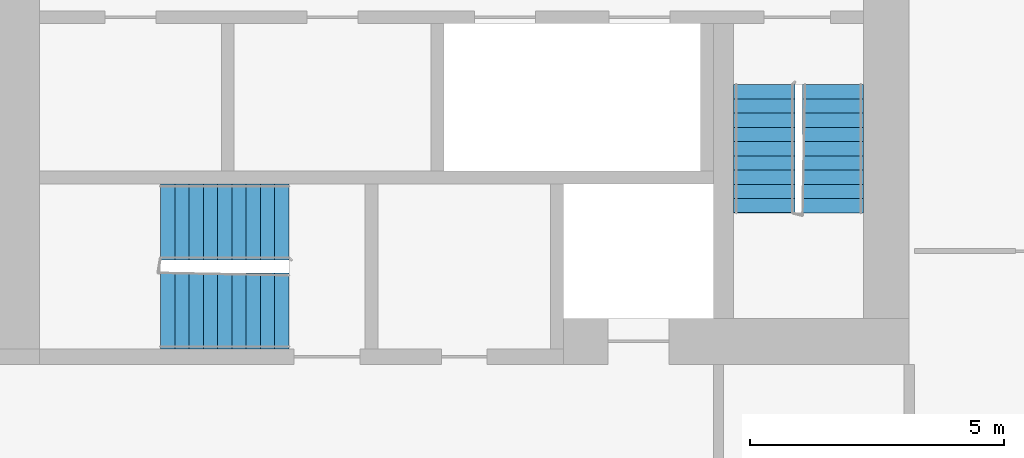
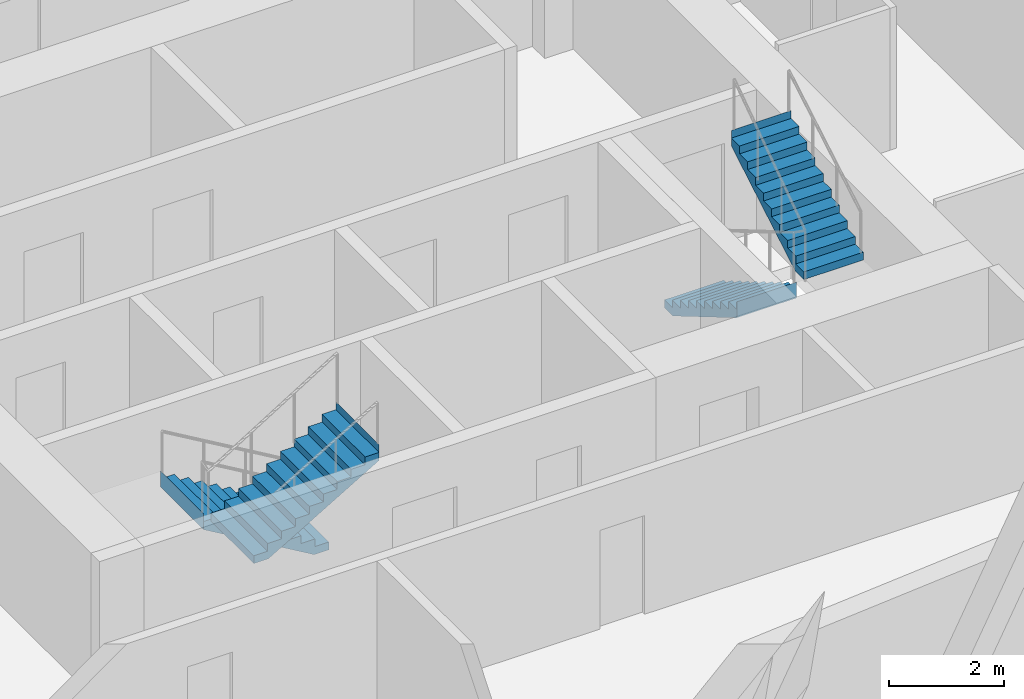
# One storey, part 9 of 13: 4 stair flights, 2 elements without a shape of their own.
"""IFC4 building model written with IfcOpenShell, lengths in metres."""

from ifc_helpers import new_model, si_unit, direction, frame, origin, place, context, subcontext, project, spatial, faceted_brep, material, type_object, element, aggregate, save


model = new_model("IFC4")

# Units and contexts
model_context = context("Model", 3, precision=1e-05, world=origin(), true_north=direction((0.0, 1.0)))
body_context = subcontext(model_context, "Body", "Model", "MODEL_VIEW")
ifc_project = project(units=[si_unit("LENGTHUNIT", "METRE"), si_unit("AREAUNIT", "SQUARE_METRE"), si_unit("VOLUMEUNIT", "CUBIC_METRE"), si_unit("PLANEANGLEUNIT", "RADIAN"), si_unit("MASSUNIT", "GRAM", prefix="KILO")], contexts=[model_context])

# Site, building, storey
site_placement = place(None, origin())
site = spatial("IfcSite", under=ifc_project, at=site_placement, CompositionType="ELEMENT")
building_placement = place(site_placement, origin())
building = spatial("IfcBuilding", under=site, at=building_placement, Name="Kajstack Hotel Tower", CompositionType="ELEMENT")
storey_placement = place(building_placement, frame((0.0, 0.0, 176.800048828125)))
storey = spatial("IfcBuildingStorey", under=building, at=storey_placement, Name="L41", CompositionType="ELEMENT", Elevation=176.800048828125)

# Stair, stair flights
ifc_material = material(Name="Concrete C40/50", Category="concrete")
stair_type_1 = type_object("IfcStairType", Name="Exit stair 1200", PredefinedType="HALF_TURN_STAIR", material=ifc_material)
stair_1_placement = place(storey_placement, origin())
stair_1 = element("IfcStair", 1, at=stair_1_placement, inside=storey, type_object=stair_type_1, Name="L41 stair W2", PredefinedType="HALF_TURN_STAIR")
stair_flight_type_1 = type_object("IfcStairFlightType", Name="Exit stair flight 1200", PredefinedType="STRAIGHT", material=ifc_material)
stair_flight_1_placement = place(storey_placement, frame((-16.35009765625, -10.0, 0.0), z_axis=(0.0, 0.0, 1.0), x_axis=(0.0, -1.0, 0.0)))
stair_flight_1 = element("IfcStairFlight", 2, at=stair_flight_1_placement, type_object=stair_flight_type_1, Name="W2 flight 1", NumberOfRisers=10, NumberOfTreads=9, PredefinedType="STRAIGHT", RiserHeight=0.165, TreadLength=0.28, context=body_context, shape_type="Brep", body=[
    faceted_brep([(0.295654296875, -0.60009765625, 0.0), (2.5205078125, -0.60009765625, 1.31103515625), (2.5205078125, -0.60009765625, 1.64990234375), (2.52001953125, -0.60009765625, 1.64990234375), (2.52001953125, -0.60009765625, 1.485107421875), (2.239990234375, -0.60009765625, 1.485107421875), (2.239990234375, -0.60009765625, 1.320068359375), (1.9599609375, -0.60009765625, 1.320068359375), (1.9599609375, -0.60009765625, 1.155029296875), (1.679931640625, -0.60009765625, 1.155029296875), (1.679931640625, -0.60009765625, 0.989990234375), (1.39990234375, -0.60009765625, 0.989990234375), (1.39990234375, -0.60009765625, 0.824951171875), (1.1201171875, -0.60009765625, 0.824951171875), (1.1201171875, -0.60009765625, 0.659912109375), (0.840087890625, -0.60009765625, 0.659912109375), (0.840087890625, -0.60009765625, 0.4951171875), (0.56005859375, -0.60009765625, 0.4951171875), (0.56005859375, -0.60009765625, 0.330078125), (0.280029296875, -0.60009765625, 0.330078125), (0.280029296875, -0.60009765625, 0.1650390625), (-0.00048828125, -0.60009765625, 0.1650390625), (-0.00048828125, -0.60009765625, 0.0), (-0.00048828125, 0.60009765625, 0.0), (-0.00048828125, 0.60009765625, 0.1650390625), (0.280029296875, 0.60009765625, 0.1650390625), (0.280029296875, 0.60009765625, 0.330078125), (0.56005859375, 0.60009765625, 0.330078125), (0.56005859375, 0.60009765625, 0.4951171875), (0.840087890625, 0.60009765625, 0.4951171875), (0.840087890625, 0.60009765625, 0.659912109375), (1.1201171875, 0.60009765625, 0.659912109375), (1.1201171875, 0.60009765625, 0.824951171875), (1.39990234375, 0.60009765625, 0.824951171875), (1.39990234375, 0.60009765625, 0.989990234375), (1.679931640625, 0.60009765625, 0.989990234375), (1.679931640625, 0.60009765625, 1.155029296875), (1.9599609375, 0.60009765625, 1.155029296875), (1.9599609375, 0.60009765625, 1.320068359375), (2.239990234375, 0.60009765625, 1.320068359375), (2.239990234375, 0.60009765625, 1.485107421875), (2.52001953125, 0.60009765625, 1.485107421875), (2.52001953125, 0.60009765625, 1.64990234375), (2.5205078125, 0.60009765625, 1.64990234375), (2.5205078125, 0.60009765625, 1.31103515625), (0.295654296875, 0.60009765625, 0.0), (-0.00048828125, -0.300048828125, 0.1650390625), (-0.00048828125, 0.0, 0.1650390625), (-0.00048828125, 0.300048828125, 0.1650390625), (-0.00048828125, 0.300048828125, 0.0), (-0.00048828125, 0.0, 0.0), (-0.00048828125, -0.300048828125, 0.0), (0.280029296875, -0.300048828125, 0.1650390625), (0.280029296875, 0.0, 0.1650390625), (0.280029296875, 0.300048828125, 0.1650390625), (0.280029296875, -0.300048828125, 0.330078125), (0.280029296875, 0.0, 0.330078125), (0.280029296875, 0.300048828125, 0.330078125), (0.56005859375, -0.300048828125, 0.330078125), (0.56005859375, 0.0, 0.330078125), (0.56005859375, 0.300048828125, 0.330078125), (0.56005859375, -0.300048828125, 0.4951171875), (0.56005859375, 0.0, 0.4951171875), (0.56005859375, 0.300048828125, 0.4951171875), (0.840087890625, -0.300048828125, 0.4951171875), (0.840087890625, 0.0, 0.4951171875), (0.840087890625, 0.300048828125, 0.4951171875), (0.840087890625, -0.300048828125, 0.659912109375), (0.840087890625, 0.0, 0.659912109375), (0.840087890625, 0.300048828125, 0.659912109375), (1.1201171875, -0.300048828125, 0.659912109375), (1.1201171875, 0.0, 0.659912109375), (1.1201171875, 0.300048828125, 0.659912109375), (1.1201171875, -0.300048828125, 0.824951171875), (1.1201171875, 0.0, 0.824951171875), (1.1201171875, 0.300048828125, 0.824951171875), (1.39990234375, -0.300048828125, 0.824951171875), (1.39990234375, 0.0, 0.824951171875), (1.39990234375, 0.300048828125, 0.824951171875), (1.39990234375, -0.300048828125, 0.989990234375), (1.39990234375, 0.0, 0.989990234375), (1.39990234375, 0.300048828125, 0.989990234375), (1.679931640625, -0.300048828125, 0.989990234375), (1.679931640625, 0.0, 0.989990234375), (1.679931640625, 0.300048828125, 0.989990234375), (1.679931640625, -0.300048828125, 1.155029296875), (1.679931640625, 0.0, 1.155029296875), (1.679931640625, 0.300048828125, 1.155029296875), (1.9599609375, -0.300048828125, 1.155029296875), (1.9599609375, 0.0, 1.155029296875), (1.9599609375, 0.300048828125, 1.155029296875), (1.9599609375, -0.300048828125, 1.320068359375), (1.9599609375, 0.0, 1.320068359375), (1.9599609375, 0.300048828125, 1.320068359375), (2.239990234375, -0.300048828125, 1.320068359375), (2.239990234375, 0.0, 1.320068359375), (2.239990234375, 0.300048828125, 1.320068359375), (2.239990234375, -0.300048828125, 1.485107421875), (2.239990234375, 0.0, 1.485107421875), (2.239990234375, 0.300048828125, 1.485107421875), (2.52001953125, -0.300048828125, 1.485107421875), (2.52001953125, 0.0, 1.485107421875), (2.52001953125, 0.300048828125, 1.485107421875), (2.52001953125, -0.300048828125, 1.64990234375), (2.52001953125, 0.0, 1.64990234375), (2.52001953125, 0.300048828125, 1.64990234375), (2.5205078125, -0.300048828125, 1.64990234375), (2.5205078125, 0.0, 1.64990234375), (2.5205078125, 0.300048828125, 1.64990234375), (2.5205078125, -0.300048828125, 1.31103515625), (2.5205078125, 0.0, 1.31103515625), (2.5205078125, 0.300048828125, 1.31103515625), (0.295654296875, -0.300048828125, 0.0), (0.295654296875, 0.0, 0.0), (0.295654296875, 0.300048828125, 0.0)], [[[0, 1, 2, 3, 4, 5, 6, 7, 8, 9, 10, 11, 12, 13, 14, 15, 16, 17, 18, 19, 20, 21, 22]], [[23, 24, 25, 26, 27, 28, 29, 30, 31, 32, 33, 34, 35, 36, 37, 38, 39, 40, 41, 42, 43, 44, 45]], [[21, 46, 47, 48, 24, 23, 49, 50, 51, 22]], [[20, 52, 53, 54, 25, 24, 48, 47, 46, 21]], [[19, 55, 56, 57, 26, 25, 54, 53, 52, 20]], [[18, 58, 59, 60, 27, 26, 57, 56, 55, 19]], [[17, 61, 62, 63, 28, 27, 60, 59, 58, 18]], [[16, 64, 65, 66, 29, 28, 63, 62, 61, 17]], [[15, 67, 68, 69, 30, 29, 66, 65, 64, 16]], [[14, 70, 71, 72, 31, 30, 69, 68, 67, 15]], [[13, 73, 74, 75, 32, 31, 72, 71, 70, 14]], [[12, 76, 77, 78, 33, 32, 75, 74, 73, 13]], [[11, 79, 80, 81, 34, 33, 78, 77, 76, 12]], [[10, 82, 83, 84, 35, 34, 81, 80, 79, 11]], [[9, 85, 86, 87, 36, 35, 84, 83, 82, 10]], [[8, 88, 89, 90, 37, 36, 87, 86, 85, 9]], [[7, 91, 92, 93, 38, 37, 90, 89, 88, 8]], [[6, 94, 95, 96, 39, 38, 93, 92, 91, 7]], [[5, 97, 98, 99, 40, 39, 96, 95, 94, 6]], [[4, 100, 101, 102, 41, 40, 99, 98, 97, 5]], [[3, 103, 104, 105, 42, 41, 102, 101, 100, 4]], [[2, 106, 107, 108, 43, 42, 105, 104, 103, 3]], [[1, 109, 110, 111, 44, 43, 108, 107, 106, 2]], [[0, 112, 113, 114, 45, 44, 111, 110, 109, 1]], [[22, 51, 50, 49, 23, 45, 114, 113, 112, 0]]]),
])
stair_flight_2_placement = place(storey_placement, frame((-15.0, -12.52001953125, 1.64990234375), z_axis=(0.0, 0.0, 1.0), x_axis=(0.0, 1.0, 0.0)))
stair_flight_2 = element("IfcStairFlight", 3, at=stair_flight_2_placement, type_object=stair_flight_type_1, Name="W2 flight 2", NumberOfRisers=10, NumberOfTreads=9, PredefinedType="STRAIGHT", RiserHeight=0.165, TreadLength=0.28, context=body_context, shape_type="Brep", body=[
    faceted_brep([(0.295654296875, -0.60009765625, 0.0), (2.5205078125, -0.60009765625, 1.31103515625), (2.5205078125, -0.60009765625, 1.64990234375), (2.52001953125, -0.60009765625, 1.64990234375), (2.52001953125, -0.60009765625, 1.485107421875), (2.239990234375, -0.60009765625, 1.485107421875), (2.239990234375, -0.60009765625, 1.320068359375), (1.9599609375, -0.60009765625, 1.320068359375), (1.9599609375, -0.60009765625, 1.155029296875), (1.679931640625, -0.60009765625, 1.155029296875), (1.679931640625, -0.60009765625, 0.989990234375), (1.39990234375, -0.60009765625, 0.989990234375), (1.39990234375, -0.60009765625, 0.824951171875), (1.1201171875, -0.60009765625, 0.824951171875), (1.1201171875, -0.60009765625, 0.659912109375), (0.840087890625, -0.60009765625, 0.659912109375), (0.840087890625, -0.60009765625, 0.4951171875), (0.56005859375, -0.60009765625, 0.4951171875), (0.56005859375, -0.60009765625, 0.330078125), (0.280029296875, -0.60009765625, 0.330078125), (0.280029296875, -0.60009765625, 0.1650390625), (-0.00048828125, -0.60009765625, 0.1650390625), (-0.00048828125, -0.60009765625, 0.0), (-0.00048828125, 0.60009765625, 0.0), (-0.00048828125, 0.60009765625, 0.1650390625), (0.280029296875, 0.60009765625, 0.1650390625), (0.280029296875, 0.60009765625, 0.330078125), (0.56005859375, 0.60009765625, 0.330078125), (0.56005859375, 0.60009765625, 0.4951171875), (0.840087890625, 0.60009765625, 0.4951171875), (0.840087890625, 0.60009765625, 0.659912109375), (1.1201171875, 0.60009765625, 0.659912109375), (1.1201171875, 0.60009765625, 0.824951171875), (1.39990234375, 0.60009765625, 0.824951171875), (1.39990234375, 0.60009765625, 0.989990234375), (1.679931640625, 0.60009765625, 0.989990234375), (1.679931640625, 0.60009765625, 1.155029296875), (1.9599609375, 0.60009765625, 1.155029296875), (1.9599609375, 0.60009765625, 1.320068359375), (2.239990234375, 0.60009765625, 1.320068359375), (2.239990234375, 0.60009765625, 1.485107421875), (2.52001953125, 0.60009765625, 1.485107421875), (2.52001953125, 0.60009765625, 1.64990234375), (2.5205078125, 0.60009765625, 1.64990234375), (2.5205078125, 0.60009765625, 1.31103515625), (0.295654296875, 0.60009765625, 0.0), (-0.00048828125, -0.300048828125, 0.1650390625), (-0.00048828125, 0.0, 0.1650390625), (-0.00048828125, 0.300048828125, 0.1650390625), (-0.00048828125, 0.300048828125, 0.0), (-0.00048828125, 0.0, 0.0), (-0.00048828125, -0.300048828125, 0.0), (0.280029296875, -0.300048828125, 0.1650390625), (0.280029296875, 0.0, 0.1650390625), (0.280029296875, 0.300048828125, 0.1650390625), (0.280029296875, -0.300048828125, 0.330078125), (0.280029296875, 0.0, 0.330078125), (0.280029296875, 0.300048828125, 0.330078125), (0.56005859375, -0.300048828125, 0.330078125), (0.56005859375, 0.0, 0.330078125), (0.56005859375, 0.300048828125, 0.330078125), (0.56005859375, -0.300048828125, 0.4951171875), (0.56005859375, 0.0, 0.4951171875), (0.56005859375, 0.300048828125, 0.4951171875), (0.840087890625, -0.300048828125, 0.4951171875), (0.840087890625, 0.0, 0.4951171875), (0.840087890625, 0.300048828125, 0.4951171875), (0.840087890625, -0.300048828125, 0.659912109375), (0.840087890625, 0.0, 0.659912109375), (0.840087890625, 0.300048828125, 0.659912109375), (1.1201171875, -0.300048828125, 0.659912109375), (1.1201171875, 0.0, 0.659912109375), (1.1201171875, 0.300048828125, 0.659912109375), (1.1201171875, -0.300048828125, 0.824951171875), (1.1201171875, 0.0, 0.824951171875), (1.1201171875, 0.300048828125, 0.824951171875), (1.39990234375, -0.300048828125, 0.824951171875), (1.39990234375, 0.0, 0.824951171875), (1.39990234375, 0.300048828125, 0.824951171875), (1.39990234375, -0.300048828125, 0.989990234375), (1.39990234375, 0.0, 0.989990234375), (1.39990234375, 0.300048828125, 0.989990234375), (1.679931640625, -0.300048828125, 0.989990234375), (1.679931640625, 0.0, 0.989990234375), (1.679931640625, 0.300048828125, 0.989990234375), (1.679931640625, -0.300048828125, 1.155029296875), (1.679931640625, 0.0, 1.155029296875), (1.679931640625, 0.300048828125, 1.155029296875), (1.9599609375, -0.300048828125, 1.155029296875), (1.9599609375, 0.0, 1.155029296875), (1.9599609375, 0.300048828125, 1.155029296875), (1.9599609375, -0.300048828125, 1.320068359375), (1.9599609375, 0.0, 1.320068359375), (1.9599609375, 0.300048828125, 1.320068359375), (2.239990234375, -0.300048828125, 1.320068359375), (2.239990234375, 0.0, 1.320068359375), (2.239990234375, 0.300048828125, 1.320068359375), (2.239990234375, -0.300048828125, 1.485107421875), (2.239990234375, 0.0, 1.485107421875), (2.239990234375, 0.300048828125, 1.485107421875), (2.52001953125, -0.300048828125, 1.485107421875), (2.52001953125, 0.0, 1.485107421875), (2.52001953125, 0.300048828125, 1.485107421875), (2.52001953125, -0.300048828125, 1.64990234375), (2.52001953125, 0.0, 1.64990234375), (2.52001953125, 0.300048828125, 1.64990234375), (2.5205078125, -0.300048828125, 1.64990234375), (2.5205078125, 0.0, 1.64990234375), (2.5205078125, 0.300048828125, 1.64990234375), (2.5205078125, -0.300048828125, 1.31103515625), (2.5205078125, 0.0, 1.31103515625), (2.5205078125, 0.300048828125, 1.31103515625), (0.295654296875, -0.300048828125, 0.0), (0.295654296875, 0.0, 0.0), (0.295654296875, 0.300048828125, 0.0)], [[[0, 1, 2, 3, 4, 5, 6, 7, 8, 9, 10, 11, 12, 13, 14, 15, 16, 17, 18, 19, 20, 21, 22]], [[23, 24, 25, 26, 27, 28, 29, 30, 31, 32, 33, 34, 35, 36, 37, 38, 39, 40, 41, 42, 43, 44, 45]], [[21, 46, 47, 48, 24, 23, 49, 50, 51, 22]], [[20, 52, 53, 54, 25, 24, 48, 47, 46, 21]], [[19, 55, 56, 57, 26, 25, 54, 53, 52, 20]], [[18, 58, 59, 60, 27, 26, 57, 56, 55, 19]], [[17, 61, 62, 63, 28, 27, 60, 59, 58, 18]], [[16, 64, 65, 66, 29, 28, 63, 62, 61, 17]], [[15, 67, 68, 69, 30, 29, 66, 65, 64, 16]], [[14, 70, 71, 72, 31, 30, 69, 68, 67, 15]], [[13, 73, 74, 75, 32, 31, 72, 71, 70, 14]], [[12, 76, 77, 78, 33, 32, 75, 74, 73, 13]], [[11, 79, 80, 81, 34, 33, 78, 77, 76, 12]], [[10, 82, 83, 84, 35, 34, 81, 80, 79, 11]], [[9, 85, 86, 87, 36, 35, 84, 83, 82, 10]], [[8, 88, 89, 90, 37, 36, 87, 86, 85, 9]], [[7, 91, 92, 93, 38, 37, 90, 89, 88, 8]], [[6, 94, 95, 96, 39, 38, 93, 92, 91, 7]], [[5, 97, 98, 99, 40, 39, 96, 95, 94, 6]], [[4, 100, 101, 102, 41, 40, 99, 98, 97, 5]], [[3, 103, 104, 105, 42, 41, 102, 101, 100, 4]], [[2, 106, 107, 108, 43, 42, 105, 104, 103, 3]], [[1, 109, 110, 111, 44, 43, 108, 107, 106, 2]], [[0, 112, 113, 114, 45, 44, 111, 110, 109, 1]], [[22, 51, 50, 49, 23, 45, 114, 113, 112, 0]]]),
])
aggregate(stair_1, [stair_flight_1, stair_flight_2])

stair_type_2 = type_object("IfcStairType", Name="Exit stair 1500", PredefinedType="HALF_TURN_STAIR", material=ifc_material)
stair_2_placement = place(storey_placement, origin())
stair_2 = element("IfcStair", 4, at=stair_2_placement, inside=storey, type_object=stair_type_2, Name="L41 stair W3", PredefinedType="HALF_TURN_STAIR")
stair_flight_type_2 = type_object("IfcStairFlightType", Name="Exit stair flight 1500", PredefinedType="STRAIGHT", material=ifc_material)
stair_flight_3_placement = place(storey_placement, frame((-25.699951171875, -12.699951171875, 0.0), z_axis=(0.0, 0.0, 1.0), x_axis=(-1.0, 0.0, 0.0)))
stair_flight_3 = element("IfcStairFlight", 5, at=stair_flight_3_placement, type_object=stair_flight_type_2, Name="W3 flight 1", NumberOfRisers=10, NumberOfTreads=9, PredefinedType="STRAIGHT", RiserHeight=0.165, TreadLength=0.28, context=body_context, shape_type="Brep", body=[
    faceted_brep([(0.295654296875, -0.75, 0.0), (2.5205078125, -0.75, 1.31103515625), (2.5205078125, -0.75, 1.64990234375), (2.52001953125, -0.75, 1.64990234375), (2.52001953125, -0.75, 1.485107421875), (2.239990234375, -0.75, 1.485107421875), (2.239990234375, -0.75, 1.320068359375), (1.9599609375, -0.75, 1.320068359375), (1.9599609375, -0.75, 1.155029296875), (1.679931640625, -0.75, 1.155029296875), (1.679931640625, -0.75, 0.989990234375), (1.39990234375, -0.75, 0.989990234375), (1.39990234375, -0.75, 0.824951171875), (1.1201171875, -0.75, 0.824951171875), (1.1201171875, -0.75, 0.659912109375), (0.840087890625, -0.75, 0.659912109375), (0.840087890625, -0.75, 0.4951171875), (0.56005859375, -0.75, 0.4951171875), (0.56005859375, -0.75, 0.330078125), (0.280029296875, -0.75, 0.330078125), (0.280029296875, -0.75, 0.1650390625), (-0.00048828125, -0.75, 0.1650390625), (-0.00048828125, -0.75, 0.0), (-0.00048828125, 0.75, 0.0), (-0.00048828125, 0.75, 0.1650390625), (0.280029296875, 0.75, 0.1650390625), (0.280029296875, 0.75, 0.330078125), (0.56005859375, 0.75, 0.330078125), (0.56005859375, 0.75, 0.4951171875), (0.840087890625, 0.75, 0.4951171875), (0.840087890625, 0.75, 0.659912109375), (1.1201171875, 0.75, 0.659912109375), (1.1201171875, 0.75, 0.824951171875), (1.39990234375, 0.75, 0.824951171875), (1.39990234375, 0.75, 0.989990234375), (1.679931640625, 0.75, 0.989990234375), (1.679931640625, 0.75, 1.155029296875), (1.9599609375, 0.75, 1.155029296875), (1.9599609375, 0.75, 1.320068359375), (2.239990234375, 0.75, 1.320068359375), (2.239990234375, 0.75, 1.485107421875), (2.52001953125, 0.75, 1.485107421875), (2.52001953125, 0.75, 1.64990234375), (2.5205078125, 0.75, 1.64990234375), (2.5205078125, 0.75, 1.31103515625), (0.295654296875, 0.75, 0.0), (-0.00048828125, -0.375, 0.1650390625), (-0.00048828125, 0.0, 0.1650390625), (-0.00048828125, 0.375, 0.1650390625), (-0.00048828125, 0.375, 0.0), (-0.00048828125, 0.0, 0.0), (-0.00048828125, -0.375, 0.0), (0.280029296875, -0.375, 0.1650390625), (0.280029296875, 0.0, 0.1650390625), (0.280029296875, 0.375, 0.1650390625), (0.280029296875, -0.375, 0.330078125), (0.280029296875, 0.0, 0.330078125), (0.280029296875, 0.375, 0.330078125), (0.56005859375, -0.375, 0.330078125), (0.56005859375, 0.0, 0.330078125), (0.56005859375, 0.375, 0.330078125), (0.56005859375, -0.375, 0.4951171875), (0.56005859375, 0.0, 0.4951171875), (0.56005859375, 0.375, 0.4951171875), (0.840087890625, -0.375, 0.4951171875), (0.840087890625, 0.0, 0.4951171875), (0.840087890625, 0.375, 0.4951171875), (0.840087890625, -0.375, 0.659912109375), (0.840087890625, 0.0, 0.659912109375), (0.840087890625, 0.375, 0.659912109375), (1.1201171875, -0.375, 0.659912109375), (1.1201171875, 0.0, 0.659912109375), (1.1201171875, 0.375, 0.659912109375), (1.1201171875, -0.375, 0.824951171875), (1.1201171875, 0.0, 0.824951171875), (1.1201171875, 0.375, 0.824951171875), (1.39990234375, -0.375, 0.824951171875), (1.39990234375, 0.0, 0.824951171875), (1.39990234375, 0.375, 0.824951171875), (1.39990234375, -0.375, 0.989990234375), (1.39990234375, 0.0, 0.989990234375), (1.39990234375, 0.375, 0.989990234375), (1.679931640625, -0.375, 0.989990234375), (1.679931640625, 0.0, 0.989990234375), (1.679931640625, 0.375, 0.989990234375), (1.679931640625, -0.375, 1.155029296875), (1.679931640625, 0.0, 1.155029296875), (1.679931640625, 0.375, 1.155029296875), (1.9599609375, -0.375, 1.155029296875), (1.9599609375, 0.0, 1.155029296875), (1.9599609375, 0.375, 1.155029296875), (1.9599609375, -0.375, 1.320068359375), (1.9599609375, 0.0, 1.320068359375), (1.9599609375, 0.375, 1.320068359375), (2.239990234375, -0.375, 1.320068359375), (2.239990234375, 0.0, 1.320068359375), (2.239990234375, 0.375, 1.320068359375), (2.239990234375, -0.375, 1.485107421875), (2.239990234375, 0.0, 1.485107421875), (2.239990234375, 0.375, 1.485107421875), (2.52001953125, -0.375, 1.485107421875), (2.52001953125, 0.0, 1.485107421875), (2.52001953125, 0.375, 1.485107421875), (2.52001953125, -0.375, 1.64990234375), (2.52001953125, 0.0, 1.64990234375), (2.52001953125, 0.375, 1.64990234375), (2.5205078125, -0.375, 1.64990234375), (2.5205078125, 0.0, 1.64990234375), (2.5205078125, 0.375, 1.64990234375), (2.5205078125, -0.375, 1.31103515625), (2.5205078125, 0.0, 1.31103515625), (2.5205078125, 0.375, 1.31103515625), (0.295654296875, -0.375, 0.0), (0.295654296875, 0.0, 0.0), (0.295654296875, 0.375, 0.0)], [[[0, 1, 2, 3, 4, 5, 6, 7, 8, 9, 10, 11, 12, 13, 14, 15, 16, 17, 18, 19, 20, 21, 22]], [[23, 24, 25, 26, 27, 28, 29, 30, 31, 32, 33, 34, 35, 36, 37, 38, 39, 40, 41, 42, 43, 44, 45]], [[21, 46, 47, 48, 24, 23, 49, 50, 51, 22]], [[20, 52, 53, 54, 25, 24, 48, 47, 46, 21]], [[19, 55, 56, 57, 26, 25, 54, 53, 52, 20]], [[18, 58, 59, 60, 27, 26, 57, 56, 55, 19]], [[17, 61, 62, 63, 28, 27, 60, 59, 58, 18]], [[16, 64, 65, 66, 29, 28, 63, 62, 61, 17]], [[15, 67, 68, 69, 30, 29, 66, 65, 64, 16]], [[14, 70, 71, 72, 31, 30, 69, 68, 67, 15]], [[13, 73, 74, 75, 32, 31, 72, 71, 70, 14]], [[12, 76, 77, 78, 33, 32, 75, 74, 73, 13]], [[11, 79, 80, 81, 34, 33, 78, 77, 76, 12]], [[10, 82, 83, 84, 35, 34, 81, 80, 79, 11]], [[9, 85, 86, 87, 36, 35, 84, 83, 82, 10]], [[8, 88, 89, 90, 37, 36, 87, 86, 85, 9]], [[7, 91, 92, 93, 38, 37, 90, 89, 88, 8]], [[6, 94, 95, 96, 39, 38, 93, 92, 91, 7]], [[5, 97, 98, 99, 40, 39, 96, 95, 94, 6]], [[4, 100, 101, 102, 41, 40, 99, 98, 97, 5]], [[3, 103, 104, 105, 42, 41, 102, 101, 100, 4]], [[2, 106, 107, 108, 43, 42, 105, 104, 103, 3]], [[1, 109, 110, 111, 44, 43, 108, 107, 106, 2]], [[0, 112, 113, 114, 45, 44, 111, 110, 109, 1]], [[22, 51, 50, 49, 23, 45, 114, 113, 112, 0]]]),
])
stair_flight_4_placement = place(storey_placement, frame((-28.219970703125, -14.449951171875, 1.64990234375), z_axis=(0.0, 0.0, 1.0), x_axis=(1.0, 0.0, 0.0)))
stair_flight_4 = element("IfcStairFlight", 6, at=stair_flight_4_placement, type_object=stair_flight_type_2, Name="W3 flight 2", NumberOfRisers=10, NumberOfTreads=9, PredefinedType="STRAIGHT", RiserHeight=0.165, TreadLength=0.28, context=body_context, shape_type="Brep", body=[
    faceted_brep([(0.295654296875, -0.75, 0.0), (2.5205078125, -0.75, 1.31103515625), (2.5205078125, -0.75, 1.64990234375), (2.52001953125, -0.75, 1.64990234375), (2.52001953125, -0.75, 1.485107421875), (2.239990234375, -0.75, 1.485107421875), (2.239990234375, -0.75, 1.320068359375), (1.9599609375, -0.75, 1.320068359375), (1.9599609375, -0.75, 1.155029296875), (1.679931640625, -0.75, 1.155029296875), (1.679931640625, -0.75, 0.989990234375), (1.39990234375, -0.75, 0.989990234375), (1.39990234375, -0.75, 0.824951171875), (1.1201171875, -0.75, 0.824951171875), (1.1201171875, -0.75, 0.659912109375), (0.840087890625, -0.75, 0.659912109375), (0.840087890625, -0.75, 0.4951171875), (0.56005859375, -0.75, 0.4951171875), (0.56005859375, -0.75, 0.330078125), (0.280029296875, -0.75, 0.330078125), (0.280029296875, -0.75, 0.1650390625), (-0.00048828125, -0.75, 0.1650390625), (-0.00048828125, -0.75, 0.0), (-0.00048828125, 0.75, 0.0), (-0.00048828125, 0.75, 0.1650390625), (0.280029296875, 0.75, 0.1650390625), (0.280029296875, 0.75, 0.330078125), (0.56005859375, 0.75, 0.330078125), (0.56005859375, 0.75, 0.4951171875), (0.840087890625, 0.75, 0.4951171875), (0.840087890625, 0.75, 0.659912109375), (1.1201171875, 0.75, 0.659912109375), (1.1201171875, 0.75, 0.824951171875), (1.39990234375, 0.75, 0.824951171875), (1.39990234375, 0.75, 0.989990234375), (1.679931640625, 0.75, 0.989990234375), (1.679931640625, 0.75, 1.155029296875), (1.9599609375, 0.75, 1.155029296875), (1.9599609375, 0.75, 1.320068359375), (2.239990234375, 0.75, 1.320068359375), (2.239990234375, 0.75, 1.485107421875), (2.52001953125, 0.75, 1.485107421875), (2.52001953125, 0.75, 1.64990234375), (2.5205078125, 0.75, 1.64990234375), (2.5205078125, 0.75, 1.31103515625), (0.295654296875, 0.75, 0.0), (-0.00048828125, -0.375, 0.1650390625), (-0.00048828125, 0.0, 0.1650390625), (-0.00048828125, 0.375, 0.1650390625), (-0.00048828125, 0.375, 0.0), (-0.00048828125, 0.0, 0.0), (-0.00048828125, -0.375, 0.0), (0.280029296875, -0.375, 0.1650390625), (0.280029296875, 0.0, 0.1650390625), (0.280029296875, 0.375, 0.1650390625), (0.280029296875, -0.375, 0.330078125), (0.280029296875, 0.0, 0.330078125), (0.280029296875, 0.375, 0.330078125), (0.56005859375, -0.375, 0.330078125), (0.56005859375, 0.0, 0.330078125), (0.56005859375, 0.375, 0.330078125), (0.56005859375, -0.375, 0.4951171875), (0.56005859375, 0.0, 0.4951171875), (0.56005859375, 0.375, 0.4951171875), (0.840087890625, -0.375, 0.4951171875), (0.840087890625, 0.0, 0.4951171875), (0.840087890625, 0.375, 0.4951171875), (0.840087890625, -0.375, 0.659912109375), (0.840087890625, 0.0, 0.659912109375), (0.840087890625, 0.375, 0.659912109375), (1.1201171875, -0.375, 0.659912109375), (1.1201171875, 0.0, 0.659912109375), (1.1201171875, 0.375, 0.659912109375), (1.1201171875, -0.375, 0.824951171875), (1.1201171875, 0.0, 0.824951171875), (1.1201171875, 0.375, 0.824951171875), (1.39990234375, -0.375, 0.824951171875), (1.39990234375, 0.0, 0.824951171875), (1.39990234375, 0.375, 0.824951171875), (1.39990234375, -0.375, 0.989990234375), (1.39990234375, 0.0, 0.989990234375), (1.39990234375, 0.375, 0.989990234375), (1.679931640625, -0.375, 0.989990234375), (1.679931640625, 0.0, 0.989990234375), (1.679931640625, 0.375, 0.989990234375), (1.679931640625, -0.375, 1.155029296875), (1.679931640625, 0.0, 1.155029296875), (1.679931640625, 0.375, 1.155029296875), (1.9599609375, -0.375, 1.155029296875), (1.9599609375, 0.0, 1.155029296875), (1.9599609375, 0.375, 1.155029296875), (1.9599609375, -0.375, 1.320068359375), (1.9599609375, 0.0, 1.320068359375), (1.9599609375, 0.375, 1.320068359375), (2.239990234375, -0.375, 1.320068359375), (2.239990234375, 0.0, 1.320068359375), (2.239990234375, 0.375, 1.320068359375), (2.239990234375, -0.375, 1.485107421875), (2.239990234375, 0.0, 1.485107421875), (2.239990234375, 0.375, 1.485107421875), (2.52001953125, -0.375, 1.485107421875), (2.52001953125, 0.0, 1.485107421875), (2.52001953125, 0.375, 1.485107421875), (2.52001953125, -0.375, 1.64990234375), (2.52001953125, 0.0, 1.64990234375), (2.52001953125, 0.375, 1.64990234375), (2.5205078125, -0.375, 1.64990234375), (2.5205078125, 0.0, 1.64990234375), (2.5205078125, 0.375, 1.64990234375), (2.5205078125, -0.375, 1.31103515625), (2.5205078125, 0.0, 1.31103515625), (2.5205078125, 0.375, 1.31103515625), (0.295654296875, -0.375, 0.0), (0.295654296875, 0.0, 0.0), (0.295654296875, 0.375, 0.0)], [[[0, 1, 2, 3, 4, 5, 6, 7, 8, 9, 10, 11, 12, 13, 14, 15, 16, 17, 18, 19, 20, 21, 22]], [[23, 24, 25, 26, 27, 28, 29, 30, 31, 32, 33, 34, 35, 36, 37, 38, 39, 40, 41, 42, 43, 44, 45]], [[21, 46, 47, 48, 24, 23, 49, 50, 51, 22]], [[20, 52, 53, 54, 25, 24, 48, 47, 46, 21]], [[19, 55, 56, 57, 26, 25, 54, 53, 52, 20]], [[18, 58, 59, 60, 27, 26, 57, 56, 55, 19]], [[17, 61, 62, 63, 28, 27, 60, 59, 58, 18]], [[16, 64, 65, 66, 29, 28, 63, 62, 61, 17]], [[15, 67, 68, 69, 30, 29, 66, 65, 64, 16]], [[14, 70, 71, 72, 31, 30, 69, 68, 67, 15]], [[13, 73, 74, 75, 32, 31, 72, 71, 70, 14]], [[12, 76, 77, 78, 33, 32, 75, 74, 73, 13]], [[11, 79, 80, 81, 34, 33, 78, 77, 76, 12]], [[10, 82, 83, 84, 35, 34, 81, 80, 79, 11]], [[9, 85, 86, 87, 36, 35, 84, 83, 82, 10]], [[8, 88, 89, 90, 37, 36, 87, 86, 85, 9]], [[7, 91, 92, 93, 38, 37, 90, 89, 88, 8]], [[6, 94, 95, 96, 39, 38, 93, 92, 91, 7]], [[5, 97, 98, 99, 40, 39, 96, 95, 94, 6]], [[4, 100, 101, 102, 41, 40, 99, 98, 97, 5]], [[3, 103, 104, 105, 42, 41, 102, 101, 100, 4]], [[2, 106, 107, 108, 43, 42, 105, 104, 103, 3]], [[1, 109, 110, 111, 44, 43, 108, 107, 106, 2]], [[0, 112, 113, 114, 45, 44, 111, 110, 109, 1]], [[22, 51, 50, 49, 23, 45, 114, 113, 112, 0]]]),
])
aggregate(stair_2, [stair_flight_3, stair_flight_4])

save(model, "model.ifc")
